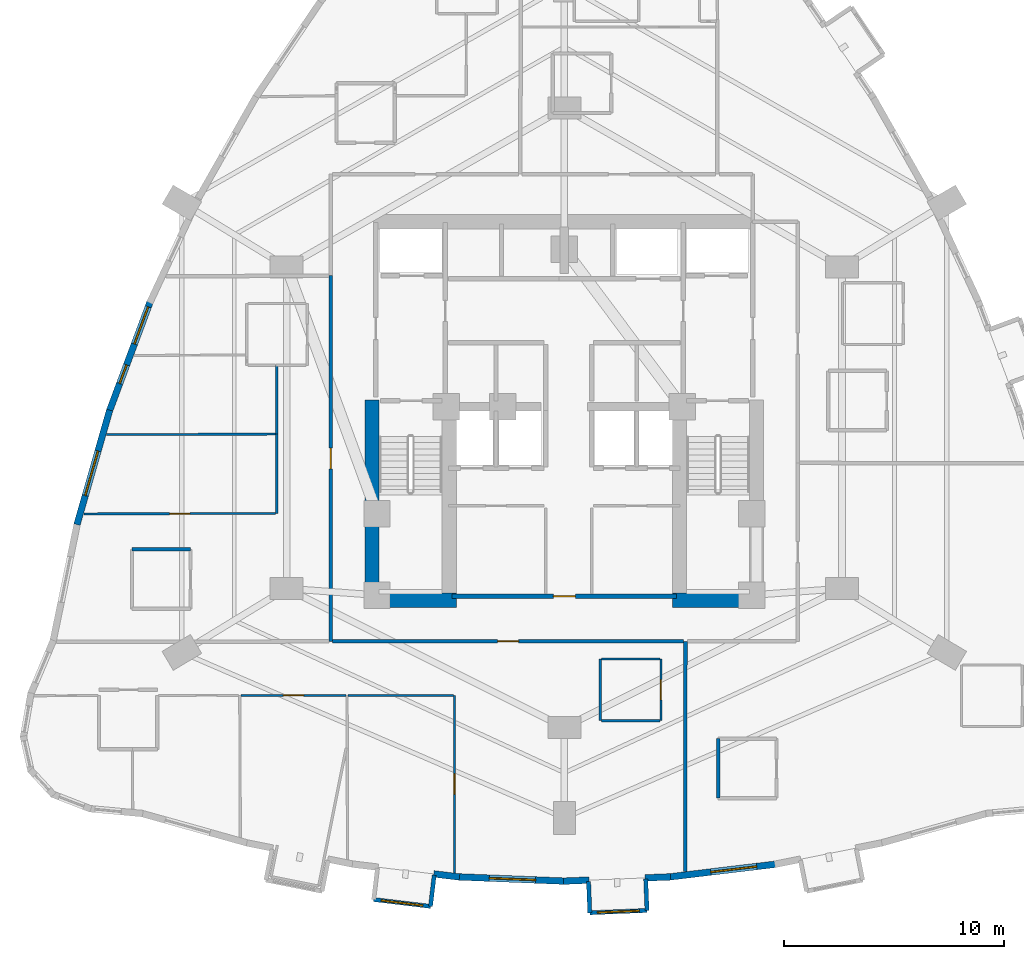
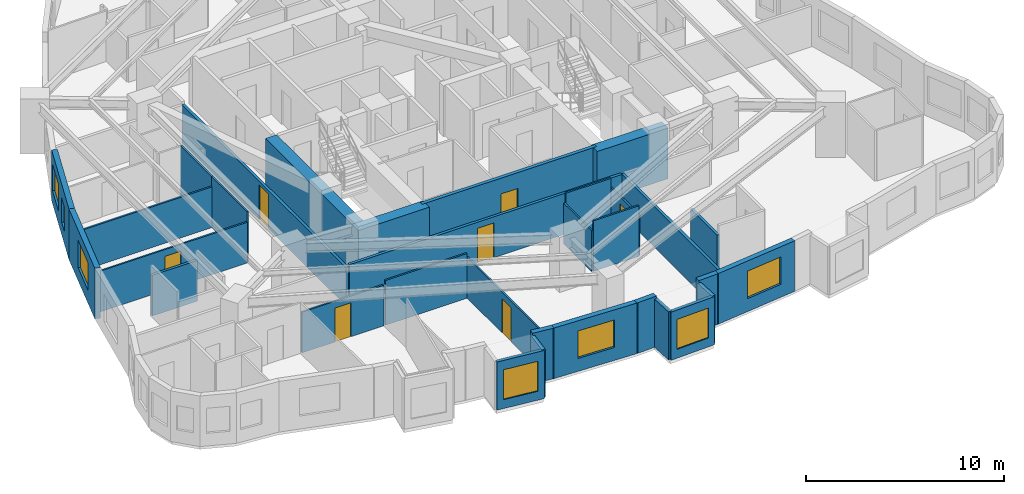
# One storey, part 6 of 12: 32 walls, 7 doors, 7 windows, 14 openings.
"""IFC4 building model written with IfcOpenShell, lengths in metres."""

from ifc_helpers import new_model, si_unit, direction, frame, frame_2d, origin, place, context, subcontext, project, spatial, rectangle, extrude, material, layer, layer_set, type_object, element, fill, save


model = new_model("IFC4")

# Units and contexts
model_context = context("Model", 3, precision=1e-05, world=origin(), true_north=direction((0.0, 1.0)))
body_context = subcontext(model_context, "Body", "Model", "MODEL_VIEW")
ifc_project = project(units=[si_unit("LENGTHUNIT", "METRE"), si_unit("AREAUNIT", "SQUARE_METRE"), si_unit("VOLUMEUNIT", "CUBIC_METRE"), si_unit("PLANEANGLEUNIT", "RADIAN"), si_unit("MASSUNIT", "GRAM", prefix="KILO")], contexts=[model_context])

# Site, building, storey
site_placement = place(None, origin())
site = spatial("IfcSite", under=ifc_project, at=site_placement, CompositionType="ELEMENT")
building_placement = place(site_placement, origin())
building = spatial("IfcBuilding", under=site, at=building_placement, Name="Miruveldt Soraemaru", CompositionType="ELEMENT")
storey_placement = place(building_placement, frame((0.0, 0.0, 56.39990234375)))
storey = spatial("IfcBuildingStorey", under=building, at=storey_placement, Name="L15", CompositionType="ELEMENT", Elevation=56.39990234375)

# Wall
ifc_material_1 = material(Name="White powder-coated aluminium EN AW-6060 T6", Category="aluminium")
ifc_layer_1 = layer(ifc_material_1, 0.18994140625, Name="White powder-coated aluminium EN AW-6060 T6", Category="aluminium")
ifc_layer_set_1 = layer_set([ifc_layer_1], Name="White powder-coated aluminium EN AW-6060 T6")
wall_type_1 = type_object("IfcWallType", Name="WALL-BAY-ALU190", PredefinedType="SOLIDWALL", material=ifc_layer_set_1)
wall_1_placement = place(storey_placement, frame((37.927734375, 21.37548828125, 0.0), z_axis=(0.0, 0.0, 1.0), x_axis=(0.119077659317, 0.992884943511, 0.0)))
element("IfcWall", 1, at=wall_1_placement, inside=storey, type_object=wall_type_1, Name="L15 Bay Window Side Cheek 1R", PredefinedType="SOLIDWALL", context=body_context, shape_type="SweptSolid", body=[
    extrude(rectangle(XDim=1.425048828125, YDim=0.18994140625, at=frame_2d((0.71240234375, 0.0))), origin(), (0.0, 0.0, 1.0), 2.97509765625),
])

# Wall, opening, window
wall_2_placement = place(storey_placement, frame((35.34619140625, 21.685302734375, 0.0), z_axis=(0.0, 0.0, 1.0), x_axis=(0.99287550549, -0.119156328397, 0.0)))
wall_2 = element("IfcWall", 2, at=wall_2_placement, inside=storey, type_object=wall_type_1, Name="L15 Bay Window Front Frame 1", PredefinedType="SOLIDWALL", context=body_context, shape_type="SweptSolid", body=[
    extrude(rectangle(XDim=2.60009765625, YDim=0.18994140625, at=frame_2d((1.300048828125, 0.0))), origin(), (0.0, 0.0, 1.0), 2.97509765625),
])
opening_1_placement = place(wall_2_placement, frame((0.35009765625, 0.0, 0.550048828125)))
opening_1 = element("IfcOpeningElement", 3, at=opening_1_placement, cuts=wall_2, Name="Opening WN-6", PredefinedType="OPENING", context=body_context, shape_type="SweptSolid", body=[
    extrude(rectangle(XDim=1.89990234375, YDim=1.85009765625, at=frame_2d((0.949951171875, 0.925048828125))), frame((0.0, 0.10498046875, 0.0), z_axis=(0.0, -1.0, 0.0), x_axis=(1.0, 0.0, 0.0)), (0.0, 0.0, 1.0), 0.2099609375),
])
ifc_material_2 = material(Name="Triple low-e insulated glazing", Category="glass")
window_type_1 = type_object("IfcWindowType", Name="WIN-BAYW-1900x1850", PartitioningType="SINGLE_PANEL", PredefinedType="WINDOW", material=ifc_material_2)
window_1_placement = place(opening_1_placement, origin())
window_1 = element("IfcWindow", 4, at=window_1_placement, inside=storey, type_object=window_type_1, Name="L15 Projecting Bay Window 1", OverallHeight=1.85009765625, OverallWidth=1.89990234375, PartitioningType="SINGLE_PANEL", PredefinedType="WINDOW", context=body_context, shape_type="SweptSolid", body=[
    extrude(rectangle(XDim=1.89990234375, YDim=1.85009765625, at=frame_2d((0.949951171875, 0.925048828125))), frame((0.0, 0.030029296875, 0.0), z_axis=(0.0, -1.0, 0.0), x_axis=(1.0, 0.0, 0.0)), (0.0, 0.0, 1.0), 0.06005859375),
])
fill(opening_1, window_1)

# Walls
for number, where, z_axis, x_axis, name in (
    (5, (45.098876953125, 22.509521484375, 0.0), (0.0, 0.0, 1.0), (0.039920142234, -0.999202873417, 0.0), "L15 Bay Window Side Cheek 2L"),
    (6, (47.75390625, 21.189697265625, 0.0), (0.0, 0.0, 1.0), (-0.040091198522, 0.999196024712, 0.0), "L15 Bay Window Side Cheek 2R"),
):
    element("IfcWall", number, at=place(storey_placement, frame(where, z_axis=z_axis, x_axis=x_axis)), inside=storey, type_object=wall_type_1, Name=name, PredefinedType="SOLIDWALL", context=body_context, shape_type="SweptSolid", body=[
        extrude(rectangle(XDim=1.425048828125, YDim=0.18994140625, at=frame_2d((0.71240234375, 0.0))), origin(), (0.0, 0.0, 1.0), 2.97509765625),
    ])

# Wall, opening, window
wall_3_placement = place(storey_placement, frame((45.15576171875, 21.085693359375, 0.0), z_axis=(0.0, 0.0, 1.0), x_axis=(0.999199758372, 0.039998035808, 0.0)))
wall_3 = element("IfcWall", 7, at=wall_3_placement, inside=storey, type_object=wall_type_1, Name="L15 Bay Window Front Frame 2", PredefinedType="SOLIDWALL", context=body_context, shape_type="SweptSolid", body=[
    extrude(rectangle(XDim=2.600341796875, YDim=0.18994140625, at=frame_2d((1.30029296875, 0.0))), origin(), (0.0, 0.0, 1.0), 2.97509765625),
])
opening_2_placement = place(wall_3_placement, frame((0.35009765625, 0.0, 0.550048828125)))
opening_2 = element("IfcOpeningElement", 8, at=opening_2_placement, cuts=wall_3, Name="Opening WN-6", PredefinedType="OPENING", context=body_context, shape_type="SweptSolid", body=[
    extrude(rectangle(XDim=1.89990234375, YDim=1.85009765625, at=frame_2d((0.949951171875, 0.925048828125))), frame((0.0, 0.10498046875, 0.0), z_axis=(0.0, -1.0, 0.0), x_axis=(1.0, 0.0, 0.0)), (0.0, 0.0, 1.0), 0.2099609375),
])
window_2_placement = place(opening_2_placement, origin())
window_2 = element("IfcWindow", 9, at=window_2_placement, inside=storey, type_object=window_type_1, Name="L15 Projecting Bay Window 2", OverallHeight=1.85009765625, OverallWidth=1.89990234375, PartitioningType="SINGLE_PANEL", PredefinedType="WINDOW", context=body_context, shape_type="SweptSolid", body=[
    extrude(rectangle(XDim=1.89990234375, YDim=1.85009765625, at=frame_2d((0.949951171875, 0.925048828125))), frame((0.0, 0.030029296875, 0.0), z_axis=(0.0, -1.0, 0.0), x_axis=(1.0, 0.0, 0.0)), (0.0, 0.0, 1.0), 0.06005859375),
])
fill(opening_2, window_2)

# Walls
ifc_material_3 = material(Name="Concrete C80/95 (80 MPa)", Category="concrete")
ifc_layer_2 = layer(ifc_material_3, 0.64990234375, Name="Concrete C80/95 (80 MPa)", Category="concrete")
ifc_layer_set_2 = layer_set([ifc_layer_2], Name="Concrete C80/95 (80 MPa)")
wall_type_2 = type_object("IfcWallType", Name="WALL-CW-650", PredefinedType="SHEAR", material=ifc_layer_set_2)
for number, where, z_axis, x_axis, name in (
    (10, (34.949951171875, 35.27490234375, 0.0), (0.0, 0.0, 1.0), (1.0, 0.0, 0.0), "L15 Central Core Shear Wall S1"),
    (11, (48.89990234375, 35.27490234375, 0.0), (0.0, 0.0, 1.0), (1.0, 0.0, 0.0), "L15 Central Core Shear Wall S2"),
):
    element("IfcWall", number, at=place(storey_placement, frame(where, z_axis=z_axis, x_axis=x_axis)), inside=storey, type_object=wall_type_2, Name=name, PredefinedType="SHEAR", context=body_context, shape_type="SweptSolid", body=[
        extrude(rectangle(XDim=4.150146484375, YDim=0.64990234375, at=frame_2d((2.0751953125, 0.0))), origin(), (0.0, 0.0, 1.0), 3.125),
    ])
wall_4_placement = place(storey_placement, frame((35.27490234375, 34.949951171875, 0.0), z_axis=(0.0, 0.0, 1.0), x_axis=(0.0, 1.0, 0.0)))
element("IfcWall", 12, at=wall_4_placement, inside=storey, type_object=wall_type_2, Name="L15 Central Core Shear Wall W1", PredefinedType="SHEAR", context=body_context, shape_type="SweptSolid", body=[
    extrude(rectangle(XDim=9.400146484375, YDim=0.64990234375, at=frame_2d((4.7001953125, 0.0))), origin(), (0.0, 0.0, 1.0), 3.125),
])

# Wall, openings, windows
ifc_material_4 = material(Name="Precast concrete C45/55 (45 MPa)", Category="concrete")
ifc_layer_3 = layer(ifc_material_4, 0.300048828125, Name="Precast concrete C45/55 (45 MPa)", Category="concrete")
ifc_layer_set_3 = layer_set([ifc_layer_3], Name="Precast concrete C45/55 (45 MPa)")
wall_type_3 = type_object("IfcWallType", Name="WALL-EXT-PC300", PredefinedType="SOLIDWALL", material=ifc_layer_set_3)
wall_5_placement = place(storey_placement, frame((25.209228515625, 48.829345703125, 0.0), z_axis=(0.0, 0.0, 1.0), x_axis=(-0.349021573692, -0.937114689405, 0.0)))
wall_5 = element("IfcWall", 13, at=wall_5_placement, inside=storey, type_object=wall_type_3, Name="L15 Precast Concrete Facade Wall 12", PredefinedType="SOLIDWALL", context=body_context, shape_type="SweptSolid", body=[
    extrude(rectangle(XDim=5.335693359375, YDim=0.300048828125, at=frame_2d((2.66796875, 0.0))), origin(), (0.0, 0.0, 1.0), 3.125),
])
opening_3_placement = place(wall_5_placement, frame((0.260009765625, 0.0, 0.800048828125)))
opening_3 = element("IfcOpeningElement", 14, at=opening_3_placement, cuts=wall_5, Name="Opening WN-2", PredefinedType="OPENING", context=body_context, shape_type="SweptSolid", body=[
    extrude(rectangle(XDim=1.800048828125, YDim=1.64990234375, at=frame_2d((0.89990234375, 0.824951171875))), frame((0.0, 0.16015625, 0.0), z_axis=(0.0, -1.0, 0.0), x_axis=(1.0, 0.0, 0.0)), (0.0, 0.0, 1.0), 0.320068359375),
])
opening_4_placement = place(wall_5_placement, frame((3.073974609375, 0.0, 0.780029296875)))
opening_4 = element("IfcOpeningElement", 15, at=opening_4_placement, cuts=wall_5, Name="Opening WN-7", PredefinedType="OPENING", context=body_context, shape_type="SweptSolid", body=[
    extrude(rectangle(XDim=0.89990234375, YDim=1.5, at=frame_2d((0.449951171875, 0.75))), frame((0.0, 0.16015625, 0.0), z_axis=(0.0, -1.0, 0.0), x_axis=(1.0, 0.0, 0.0)), (0.0, 0.0, 1.0), 0.320068359375),
])
window_type_2 = type_object("IfcWindowType", Name="WIN-PUNCH-1800x1650", PartitioningType="SINGLE_PANEL", PredefinedType="WINDOW", material=ifc_material_2)
window_3_placement = place(opening_3_placement, origin())
window_3 = element("IfcWindow", 16, at=window_3_placement, inside=storey, type_object=window_type_2, Name="L15 Punched Triple-Glazed Window 12.1", OverallHeight=1.64990234375, OverallWidth=1.800048828125, PartitioningType="SINGLE_PANEL", PredefinedType="WINDOW", context=body_context, shape_type="SweptSolid", body=[
    extrude(rectangle(XDim=1.800048828125, YDim=1.64990234375, at=frame_2d((0.89990234375, 0.824951171875))), frame((0.0, 0.030029296875, 0.0), z_axis=(0.0, -1.0, 0.0), x_axis=(1.0, 0.0, 0.0)), (0.0, 0.0, 1.0), 0.06005859375),
])
fill(opening_3, window_3)
window_type_3 = type_object("IfcWindowType", Name="WIN-PUNCH-900x1500", PartitioningType="SINGLE_PANEL", PredefinedType="WINDOW", material=ifc_material_2)
window_4_placement = place(opening_4_placement, origin())
window_4 = element("IfcWindow", 17, at=window_4_placement, inside=storey, type_object=window_type_3, Name="L15 Punched Triple-Glazed Window 12.2", OverallHeight=1.5, OverallWidth=0.89990234375, PartitioningType="SINGLE_PANEL", PredefinedType="WINDOW", context=body_context, shape_type="SweptSolid", body=[
    extrude(rectangle(XDim=0.89990234375, YDim=1.5, at=frame_2d((0.449951171875, 0.75))), frame((0.0, 0.030029296875, 0.0), z_axis=(0.0, -1.0, 0.0), x_axis=(1.0, 0.0, 0.0)), (0.0, 0.0, 1.0), 0.06005859375),
])
fill(opening_4, window_4)

# Wall, opening, window
wall_6_placement = place(storey_placement, frame((23.368896484375, 43.895751953125, 0.0), z_axis=(0.0, 0.0, 1.0), x_axis=(-0.274959879821, -0.961455700742, 0.0)))
wall_6 = element("IfcWall", 18, at=wall_6_placement, inside=storey, type_object=wall_type_3, Name="L15 Precast Concrete Facade Wall 13", PredefinedType="SOLIDWALL", context=body_context, shape_type="SweptSolid", body=[
    extrude(rectangle(XDim=5.402099609375, YDim=0.300048828125, at=frame_2d((2.701171875, 0.0))), origin(), (0.0, 0.0, 1.0), 3.125),
])
opening_5_placement = place(wall_6_placement, frame((1.928955078125, 0.0, 0.800048828125)))
opening_5 = element("IfcOpeningElement", 19, at=opening_5_placement, cuts=wall_6, Name="Opening WN-1", PredefinedType="OPENING", context=body_context, shape_type="SweptSolid", body=[
    extrude(rectangle(XDim=2.10009765625, YDim=1.699951171875, at=frame_2d((1.050048828125, 0.85009765625))), frame((0.0, 0.16015625, 0.0), z_axis=(0.0, -1.0, 0.0), x_axis=(1.0, 0.0, 0.0)), (0.0, 0.0, 1.0), 0.320068359375),
])
window_type_4 = type_object("IfcWindowType", Name="WIN-PUNCH-2100x1700", PartitioningType="SINGLE_PANEL", PredefinedType="WINDOW", material=ifc_material_2)
window_5_placement = place(opening_5_placement, origin())
window_5 = element("IfcWindow", 20, at=window_5_placement, inside=storey, type_object=window_type_4, Name="L15 Punched Triple-Glazed Window 13.1", OverallHeight=1.699951171875, OverallWidth=2.10009765625, PartitioningType="SINGLE_PANEL", PredefinedType="WINDOW", context=body_context, shape_type="SweptSolid", body=[
    extrude(rectangle(XDim=2.10009765625, YDim=1.699951171875, at=frame_2d((1.050048828125, 0.85009765625))), frame((0.0, 0.030029296875, 0.0), z_axis=(0.0, -1.0, 0.0), x_axis=(1.0, 0.0, 0.0)), (0.0, 0.0, 1.0), 0.06005859375),
])
fill(opening_5, window_5)

# Wall
wall_7_placement = place(storey_placement, frame((38.07421875, 22.8486328125, 0.0), z_axis=(0.0, 0.0, 1.0), x_axis=(0.992871933541, -0.119186088056, 0.0)))
element("IfcWall", 21, at=wall_7_placement, inside=storey, type_object=wall_type_3, Name="L15 Precast Pier Wall 23B", PredefinedType="SOLIDWALL", context=body_context, shape_type="SweptSolid", body=[
    extrude(rectangle(XDim=1.177734375, YDim=0.300048828125, at=frame_2d((0.5888671875, 0.0))), origin(), (0.0, 0.0, 1.0), 3.125),
])

# Wall, opening, window
wall_8_placement = place(storey_placement, frame((39.173828125, 22.7138671875, 0.0), z_axis=(0.0, 0.0, 1.0), x_axis=(0.999199836017, -0.039996096093, 0.0)))
wall_8 = element("IfcWall", 22, at=wall_8_placement, inside=storey, type_object=wall_type_3, Name="L15 Precast Concrete Facade Wall 24", PredefinedType="SOLIDWALL", context=body_context, shape_type="SweptSolid", body=[
    extrude(rectangle(XDim=4.864990234375, YDim=0.300048828125, at=frame_2d((2.4326171875, 0.0))), origin(), (0.0, 0.0, 1.0), 3.125),
])
opening_6_placement = place(wall_8_placement, frame((1.423095703125, 0.0, 0.800048828125)))
opening_6 = element("IfcOpeningElement", 23, at=opening_6_placement, cuts=wall_8, Name="Opening WN-1", PredefinedType="OPENING", context=body_context, shape_type="SweptSolid", body=[
    extrude(rectangle(XDim=2.10009765625, YDim=1.699951171875, at=frame_2d((1.050048828125, 0.85009765625))), frame((0.0, 0.16015625, 0.0), z_axis=(0.0, -1.0, 0.0), x_axis=(1.0, 0.0, 0.0)), (0.0, 0.0, 1.0), 0.320068359375),
])
window_6_placement = place(opening_6_placement, origin())
window_6 = element("IfcWindow", 24, at=window_6_placement, inside=storey, type_object=window_type_4, Name="L15 Punched Triple-Glazed Window 24.1", OverallHeight=1.699951171875, OverallWidth=2.10009765625, PartitioningType="SINGLE_PANEL", PredefinedType="WINDOW", context=body_context, shape_type="SweptSolid", body=[
    extrude(rectangle(XDim=2.10009765625, YDim=1.699951171875, at=frame_2d((1.050048828125, 0.85009765625))), frame((0.0, 0.030029296875, 0.0), z_axis=(0.0, -1.0, 0.0), x_axis=(1.0, 0.0, 0.0)), (0.0, 0.0, 1.0), 0.06005859375),
])
fill(opening_6, window_6)

# Walls
for number, where, z_axis, x_axis, name in (
    (25, (43.965087890625, 22.519287109375, 0.0), (0.0, 0.0, 1.0), (0.999195245588, 0.040110612002, 0.0), "L15 Precast Pier Wall 25A"),
    (26, (47.66455078125, 22.667236328125, 0.0), (0.0, 0.0, 1.0), (0.999195245588, 0.040110612002, 0.0), "L15 Precast Pier Wall 25B"),
):
    element("IfcWall", number, at=place(storey_placement, frame(where, z_axis=z_axis, x_axis=x_axis)), inside=storey, type_object=wall_type_3, Name=name, PredefinedType="SOLIDWALL", context=body_context, shape_type="SweptSolid", body=[
        extrude(rectangle(XDim=1.16259765625, YDim=0.300048828125, at=frame_2d((0.581298828125, 0.0))), origin(), (0.0, 0.0, 1.0), 3.125),
    ])

# Wall, opening, window
wall_9_placement = place(storey_placement, frame((48.75634765625, 22.708251953125, 0.0), z_axis=(0.0, 0.0, 1.0), x_axis=(0.992878018288, 0.119135388533, 0.0)))
wall_9 = element("IfcWall", 27, at=wall_9_placement, inside=storey, type_object=wall_type_3, Name="L15 Precast Concrete Facade Wall 26", PredefinedType="SOLIDWALL", context=body_context, shape_type="SweptSolid", body=[
    extrude(rectangle(XDim=4.895751953125, YDim=0.300048828125, at=frame_2d((2.44775390625, 0.0))), origin(), (0.0, 0.0, 1.0), 3.125),
])
opening_7_placement = place(wall_9_placement, frame((1.89794921875, 0.0, 0.800048828125)))
opening_7 = element("IfcOpeningElement", 28, at=opening_7_placement, cuts=wall_9, Name="Opening WN-1", PredefinedType="OPENING", context=body_context, shape_type="SweptSolid", body=[
    extrude(rectangle(XDim=2.10009765625, YDim=1.699951171875, at=frame_2d((1.050048828125, 0.85009765625))), frame((0.0, 0.16015625, 0.0), z_axis=(0.0, -1.0, 0.0), x_axis=(1.0, 0.0, 0.0)), (0.0, 0.0, 1.0), 0.320068359375),
])
window_7_placement = place(opening_7_placement, origin())
window_7 = element("IfcWindow", 29, at=window_7_placement, inside=storey, type_object=window_type_4, Name="L15 Punched Triple-Glazed Window 26.1", OverallHeight=1.699951171875, OverallWidth=2.10009765625, PartitioningType="SINGLE_PANEL", PredefinedType="WINDOW", context=body_context, shape_type="SweptSolid", body=[
    extrude(rectangle(XDim=2.10009765625, YDim=1.699951171875, at=frame_2d((1.050048828125, 0.85009765625))), frame((0.0, 0.030029296875, 0.0), z_axis=(0.0, -1.0, 0.0), x_axis=(1.0, 0.0, 0.0)), (0.0, 0.0, 1.0), 0.06005859375),
])
fill(opening_7, window_7)

# Wall, opening, door
ifc_material_5 = material(Name="Gypsum plasterboard lining", Category="gypsum")
ifc_layer_4 = layer(ifc_material_5, 0.10009765625, Name="Gypsum plasterboard lining", Category="gypsum")
ifc_layer_set_4 = layer_set([ifc_layer_4], Name="Gypsum plasterboard lining")
wall_type_4 = type_object("IfcWallType", Name="WALL-INT-P100", PredefinedType="PARTITIONING", material=ifc_layer_set_4)
wall_10_placement = place(storey_placement, frame((30.89990234375, 39.2099609375, 0.0), z_axis=(0.0, 0.0, 1.0), x_axis=(-0.999996525558, -0.002636071494, 0.0)))
wall_10 = element("IfcWall", 30, at=wall_10_placement, inside=storey, type_object=wall_type_4, Name="L15 Partition Wall 55", PredefinedType="PARTITIONING", context=body_context, shape_type="SweptSolid", body=[
    extrude(rectangle(XDim=8.705810546875, YDim=0.10009765625, at=frame_2d((4.35302734375, 0.0))), origin(), (0.0, 0.0, 1.0), 2.51318359375),
])
opening_8_placement = place(wall_10_placement, frame((3.89306640625, 0.0, 0.0)))
opening_8 = element("IfcOpeningElement", 31, at=opening_8_placement, cuts=wall_10, Name="Opening D3A", PredefinedType="OPENING", context=body_context, shape_type="SweptSolid", body=[
    extrude(rectangle(XDim=0.919921875, YDim=2.10009765625, at=frame_2d((0.4599609375, 1.050048828125))), frame((0.0, 0.06005859375, 0.0), z_axis=(0.0, -1.0, 0.0), x_axis=(1.0, 0.0, 0.0)), (0.0, 0.0, 1.0), 0.1201171875),
])
ifc_material_6 = material(Name="Anodised aluminium EN AW-6063 T6", Category="aluminium")
door_type_1 = type_object("IfcDoorType", Name="DOOR-INT-920", OperationType="NOTDEFINED", PredefinedType="DOOR", material=ifc_material_6)
door_1_placement = place(opening_8_placement, origin())
door_1 = element("IfcDoor", 32, at=door_1_placement, inside=storey, type_object=door_type_1, Name="L15 Unit 1504 BD1 Door", OperationType="SINGLE_SWING_RIGHT", OverallHeight=2.10009765625, OverallWidth=0.919921875, PredefinedType="DOOR", context=body_context, shape_type="SweptSolid", body=[
    extrude(rectangle(XDim=0.919921875, YDim=2.10009765625, at=frame_2d((0.4599609375, 1.050048828125))), frame((0.0, 0.02490234375, 0.0), z_axis=(0.0, -1.0, 0.0), x_axis=(1.0, 0.0, 0.0)), (0.0, 0.0, 1.0), 0.050048828125),
])
fill(opening_8, door_1)

wall_11_placement = place(storey_placement, frame((39.011962890625, 30.949951171875, 0.0), z_axis=(0.0, 0.0, 1.0), x_axis=(0.001243591504, -0.99999922674, 0.0)))
wall_11 = element("IfcWall", 33, at=wall_11_placement, inside=storey, type_object=wall_type_4, Name="L15 Partition Wall 80", PredefinedType="PARTITIONING", context=body_context, shape_type="SweptSolid", body=[
    extrude(rectangle(XDim=8.049072265625, YDim=0.10009765625, at=frame_2d((4.0244140625, 0.0))), origin(), (0.0, 0.0, 1.0), 2.51318359375),
])
opening_9_placement = place(wall_11_placement, frame((3.56494140625, 0.0, 0.0)))
opening_9 = element("IfcOpeningElement", 34, at=opening_9_placement, cuts=wall_11, Name="Opening D3A", PredefinedType="OPENING", context=body_context, shape_type="SweptSolid", body=[
    extrude(rectangle(XDim=0.919921875, YDim=2.10009765625, at=frame_2d((0.4599609375, 1.050048828125))), frame((0.0, 0.06005859375, 0.0), z_axis=(0.0, -1.0, 0.0), x_axis=(1.0, 0.0, 0.0)), (0.0, 0.0, 1.0), 0.1201171875),
])
door_2_placement = place(opening_9_placement, origin())
door_2 = element("IfcDoor", 35, at=door_2_placement, inside=storey, type_object=door_type_1, Name="L15 Unit 1506 BD4 Door", OperationType="SINGLE_SWING_LEFT", OverallHeight=2.10009765625, OverallWidth=0.919921875, PredefinedType="DOOR", context=body_context, shape_type="SweptSolid", body=[
    extrude(rectangle(XDim=0.919921875, YDim=2.10009765625, at=frame_2d((0.4599609375, 1.050048828125))), frame((0.0, 0.02490234375, 0.0), z_axis=(0.0, -1.0, 0.0), x_axis=(1.0, 0.0, 0.0)), (0.0, 0.0, 1.0), 0.050048828125),
])
fill(opening_9, door_2)

wall_12_placement = place(storey_placement, frame((29.322998046875, 30.949951171875, 0.0), z_axis=(0.0, 0.0, 1.0), x_axis=(1.0, 0.0, 0.0)))
wall_12 = element("IfcWall", 36, at=wall_12_placement, inside=storey, type_object=wall_type_4, Name="L15 Partition Wall 78", PredefinedType="PARTITIONING", context=body_context, shape_type="SweptSolid", body=[
    extrude(rectangle(XDim=4.77001953125, YDim=0.10009765625, at=frame_2d((2.385009765625, 0.0))), origin(), (0.0, 0.0, 1.0), 2.51318359375),
])
opening_10_placement = place(wall_12_placement, frame((1.925048828125, 0.0, 0.0)))
opening_10 = element("IfcOpeningElement", 37, at=opening_10_placement, cuts=wall_12, Name="Opening D3A", PredefinedType="OPENING", context=body_context, shape_type="SweptSolid", body=[
    extrude(rectangle(XDim=0.919921875, YDim=2.10009765625, at=frame_2d((0.4599609375, 1.050048828125))), frame((0.0, 0.06005859375, 0.0), z_axis=(0.0, -1.0, 0.0), x_axis=(1.0, 0.0, 0.0)), (0.0, 0.0, 1.0), 0.1201171875),
])
door_3_placement = place(opening_10_placement, origin())
door_3 = element("IfcDoor", 38, at=door_3_placement, inside=storey, type_object=door_type_1, Name="L15 Unit 1506 BD3 Door", OperationType="SINGLE_SWING_RIGHT", OverallHeight=2.10009765625, OverallWidth=0.919921875, PredefinedType="DOOR", context=body_context, shape_type="SweptSolid", body=[
    extrude(rectangle(XDim=0.919921875, YDim=2.10009765625, at=frame_2d((0.4599609375, 1.050048828125))), frame((0.0, 0.02490234375, 0.0), z_axis=(0.0, -1.0, 0.0), x_axis=(1.0, 0.0, 0.0)), (0.0, 0.0, 1.0), 0.050048828125),
])
fill(opening_10, door_3)

wall_13_placement = place(storey_placement, frame((48.383056640625, 29.802978515625, 0.0), z_axis=(0.0, 0.0, 1.0), x_axis=(0.0, 1.0, 0.0)))
wall_13 = element("IfcWall", 39, at=wall_13_placement, inside=storey, type_object=wall_type_4, Name="L15 Partition Wall 72", PredefinedType="PARTITIONING", context=body_context, shape_type="SweptSolid", body=[
    extrude(rectangle(XDim=2.800048828125, YDim=0.10009765625, at=frame_2d((1.39990234375, 0.0))), origin(), (0.0, 0.0, 1.0), 2.525146484375),
])
opening_11_placement = place(wall_13_placement, frame((0.93994140625, 0.0, 0.0)))
opening_11 = element("IfcOpeningElement", 40, at=opening_11_placement, cuts=wall_13, Name="Opening D3A", PredefinedType="OPENING", context=body_context, shape_type="SweptSolid", body=[
    extrude(rectangle(XDim=0.919921875, YDim=2.10009765625, at=frame_2d((0.4599609375, 1.050048828125))), frame((0.0, 0.06005859375, 0.0), z_axis=(0.0, -1.0, 0.0), x_axis=(1.0, 0.0, 0.0)), (0.0, 0.0, 1.0), 0.1201171875),
])
door_4_placement = place(opening_11_placement, origin())
door_4 = element("IfcDoor", 41, at=door_4_placement, inside=storey, type_object=door_type_1, Name="L15 Unit 1506 KIT Door", OperationType="SINGLE_SWING_LEFT", OverallHeight=2.10009765625, OverallWidth=0.919921875, PredefinedType="DOOR", context=body_context, shape_type="SweptSolid", body=[
    extrude(rectangle(XDim=0.919921875, YDim=2.10009765625, at=frame_2d((0.4599609375, 1.050048828125))), frame((0.0, 0.02490234375, 0.0), z_axis=(0.0, -1.0, 0.0), x_axis=(1.0, 0.0, 0.0)), (0.0, 0.0, 1.0), 0.050048828125),
])
fill(opening_11, door_4)

# Walls
wall_14_placement = place(storey_placement, frame((30.89990234375, 42.806884765625, 0.0), z_axis=(0.0, 0.0, 1.0), x_axis=(-0.99999553307, -0.002988952911, 0.0)))
element("IfcWall", 42, at=wall_14_placement, inside=storey, type_object=wall_type_4, Name="L15 Partition Wall 61", PredefinedType="PARTITIONING", context=body_context, shape_type="SweptSolid", body=[
    extrude(rectangle(XDim=7.677978515625, YDim=0.10009765625, at=frame_2d((3.8388671875, 0.0))), origin(), (0.0, 0.0, 1.0), 2.51318359375),
])
wall_15_placement = place(storey_placement, frame((34.193115234375, 30.949951171875, 0.0), z_axis=(0.0, 0.0, 1.0), x_axis=(1.0, 0.0, 0.0)))
element("IfcWall", 43, at=wall_15_placement, inside=storey, type_object=wall_type_4, Name="L15 Partition Wall 79", PredefinedType="PARTITIONING", context=body_context, shape_type="SweptSolid", body=[
    extrude(rectangle(XDim=4.768798828125, YDim=0.10009765625, at=frame_2d((2.38427734375, 0.0))), origin(), (0.0, 0.0, 1.0), 2.76318359375),
])
wall_16_placement = place(storey_placement, frame((30.949951171875, 42.806884765625, 0.0), z_axis=(0.0, 0.0, 1.0), x_axis=(0.0, -1.0, 0.0)))
element("IfcWall", 44, at=wall_16_placement, inside=storey, type_object=wall_type_4, Name="L15 Partition Wall 54", PredefinedType="PARTITIONING", context=body_context, shape_type="SweptSolid", body=[
    extrude(rectangle(XDim=3.596923828125, YDim=0.10009765625, at=frame_2d((1.79833984375, 0.0))), origin(), (0.0, 0.0, 1.0), 3.125),
])
wall_17_placement = place(storey_placement, frame((30.949951171875, 45.929931640625, 0.0), z_axis=(0.0, 0.0, 1.0), x_axis=(0.0, -1.0, 0.0)))
element("IfcWall", 45, at=wall_17_placement, inside=storey, type_object=wall_type_4, Name="L15 Partition Wall 57", PredefinedType="PARTITIONING", context=body_context, shape_type="SweptSolid", body=[
    extrude(rectangle(XDim=3.123046875, YDim=0.10009765625, at=frame_2d((1.5615234375, 0.0))), origin(), (0.0, 0.0, 1.0), 3.125),
])
wall_18_placement = place(storey_placement, frame((45.633056640625, 32.60302734375, 0.0), z_axis=(0.0, 0.0, 1.0), x_axis=(0.0, -1.0, 0.0)))
element("IfcWall", 46, at=wall_18_placement, inside=storey, type_object=wall_type_4, Name="L15 Partition Wall 74", PredefinedType="PARTITIONING", context=body_context, shape_type="SweptSolid", body=[
    extrude(rectangle(XDim=2.800048828125, YDim=0.10009765625, at=frame_2d((1.39990234375, 0.0))), origin(), (0.0, 0.0, 1.0), 2.525146484375),
])
for number, where, z_axis, x_axis, name in (
    (47, (48.3330078125, 32.60302734375, 0.0), (0.0, 0.0, 1.0), (-1.0, 0.0, 0.0), "L15 Partition Wall 73"),
    (48, (45.68310546875, 29.802978515625, 0.0), (0.0, 0.0, 1.0), (1.0, 0.0, 0.0), "L15 Partition Wall 75"),
):
    element("IfcWall", number, at=place(storey_placement, frame(where, z_axis=z_axis, x_axis=x_axis)), inside=storey, type_object=wall_type_4, Name=name, PredefinedType="PARTITIONING", context=body_context, shape_type="SweptSolid", body=[
        extrude(rectangle(XDim=2.64990234375, YDim=0.10009765625, at=frame_2d((1.324951171875, 0.0))), origin(), (0.0, 0.0, 1.0), 3.125),
    ])
ifc_layer_5 = layer(ifc_material_5, 0.14990234375, Name="Gypsum plasterboard lining", Category="gypsum")
ifc_layer_set_5 = layer_set([ifc_layer_5], Name="Gypsum plasterboard lining")
wall_type_5 = type_object("IfcWallType", Name="WALL-INT-PLUMB", PredefinedType="PLUMBINGWALL", material=ifc_layer_set_5)
wall_19_placement = place(storey_placement, frame((50.97998046875, 28.986083984375, 0.0), z_axis=(0.0, 0.0, 1.0), x_axis=(0.0, -1.0, 0.0)))
element("IfcWall", 49, at=wall_19_placement, inside=storey, type_object=wall_type_5, Name="L15 Partition Wall 91", PredefinedType="PLUMBINGWALL", context=body_context, shape_type="SweptSolid", body=[
    extrude(rectangle(XDim=2.7001953125, YDim=0.14990234375, at=frame_2d((1.35009765625, 0.0))), origin(), (0.0, 0.0, 1.0), 2.51318359375),
])
wall_20_placement = place(storey_placement, frame((27.034912109375, 37.580078125, 0.0), z_axis=(0.0, 0.0, 1.0), x_axis=(-1.0, 0.0, 0.0)))
element("IfcWall", 50, at=wall_20_placement, inside=storey, type_object=wall_type_5, Name="L15 Partition Wall 47", PredefinedType="PLUMBINGWALL", context=body_context, shape_type="SweptSolid", body=[
    extrude(rectangle(XDim=2.64990234375, YDim=0.14990234375, at=frame_2d((1.324951171875, 0.0))), origin(), (0.0, 0.0, 1.0), 2.51318359375),
])

# Wall, opening, door
ifc_material_7 = material(Name="Concrete C40/50 (40 MPa)", Category="concrete")
ifc_layer_6 = layer(ifc_material_7, 0.159912109375, Name="Concrete C40/50 (40 MPa)", Category="concrete")
ifc_layer_set_6 = layer_set([ifc_layer_6], Name="Concrete C40/50 (40 MPa)")
wall_type_6 = type_object("IfcWallType", Name="WALL-INT-RC160", PredefinedType="SOLIDWALL", material=ifc_layer_set_6)
wall_21_placement = place(storey_placement, frame((33.39990234375, 49.9970703125, 0.0), z_axis=(0.0, 0.0, 1.0), x_axis=(0.0, -1.0, 0.0)))
wall_21 = element("IfcWall", 51, at=wall_21_placement, inside=storey, type_object=wall_type_6, Name="L15 Partition Wall 4", PredefinedType="SOLIDWALL", context=body_context, shape_type="SweptSolid", body=[
    extrude(rectangle(XDim=16.593994140625, YDim=0.159912109375, at=frame_2d((8.296875, 0.0))), origin(), (0.0, 0.0, 1.0), 2.363037109375),
])
opening_12_placement = place(wall_21_placement, frame((7.822021484375, 0.0, 0.0)))
opening_12 = element("IfcOpeningElement", 52, at=opening_12_placement, cuts=wall_21, Name="Opening FD2", PredefinedType="OPENING", context=body_context, shape_type="SweptSolid", body=[
    extrude(rectangle(XDim=0.949951171875, YDim=2.14990234375, at=frame_2d((0.47509765625, 1.074951171875))), frame((0.0, 0.08984375, 0.0), z_axis=(0.0, -1.0, 0.0), x_axis=(1.0, 0.0, 0.0)), (0.0, 0.0, 1.0), 0.179931640625),
])
door_type_2 = type_object("IfcDoorType", Name="DOOR-FD2-950", OperationType="NOTDEFINED", PredefinedType="DOOR", material=ifc_material_6)
door_5_placement = place(opening_12_placement, origin())
door_5 = element("IfcDoor", 53, at=door_5_placement, inside=storey, type_object=door_type_2, Name="L15 Unit 1504 Entrance Fire Door", OperationType="SINGLE_SWING_LEFT", OverallHeight=2.14990234375, OverallWidth=0.949951171875, PredefinedType="DOOR", context=body_context, shape_type="SweptSolid", body=[
    extrude(rectangle(XDim=0.949951171875, YDim=2.14990234375, at=frame_2d((0.47509765625, 1.074951171875))), frame((0.0, 0.02490234375, 0.0), z_axis=(0.0, -1.0, 0.0), x_axis=(1.0, 0.0, 0.0)), (0.0, 0.0, 1.0), 0.050048828125),
])
fill(opening_12, door_5)

wall_22_placement = place(storey_placement, frame((33.47998046875, 33.39990234375, 0.0), z_axis=(0.0, 0.0, 1.0), x_axis=(1.0, 0.0, 0.0)))
wall_22 = element("IfcWall", 54, at=wall_22_placement, inside=storey, type_object=wall_type_6, Name="L15 Partition Wall 9", PredefinedType="SOLIDWALL", context=body_context, shape_type="SweptSolid", body=[
    extrude(rectangle(XDim=15.93994140625, YDim=0.159912109375, at=frame_2d((7.969970703125, 0.0))), origin(), (0.0, 0.0, 1.0), 2.525146484375),
])
opening_13_placement = place(wall_22_placement, frame((7.4951171875, 0.0, 0.0)))
opening_13 = element("IfcOpeningElement", 55, at=opening_13_placement, cuts=wall_22, Name="Opening FD2", PredefinedType="OPENING", context=body_context, shape_type="SweptSolid", body=[
    extrude(rectangle(XDim=0.949951171875, YDim=2.14990234375, at=frame_2d((0.47509765625, 1.074951171875))), frame((0.0, 0.08984375, 0.0), z_axis=(0.0, -1.0, 0.0), x_axis=(1.0, 0.0, 0.0)), (0.0, 0.0, 1.0), 0.179931640625),
])
door_6_placement = place(opening_13_placement, origin())
door_6 = element("IfcDoor", 56, at=door_6_placement, inside=storey, type_object=door_type_2, Name="L15 Unit 1506 Entrance Fire Door", OperationType="SINGLE_SWING_LEFT", OverallHeight=2.14990234375, OverallWidth=0.949951171875, PredefinedType="DOOR", context=body_context, shape_type="SweptSolid", body=[
    extrude(rectangle(XDim=0.949951171875, YDim=2.14990234375, at=frame_2d((0.47509765625, 1.074951171875))), frame((0.0, 0.02490234375, 0.0), z_axis=(0.0, -1.0, 0.0), x_axis=(1.0, 0.0, 0.0)), (0.0, 0.0, 1.0), 0.050048828125),
])
fill(opening_13, door_6)

# Wall
wall_23_placement = place(storey_placement, frame((49.489990234375, 22.9619140625, 0.0), z_axis=(0.0, 0.0, 1.0), x_axis=(0.000958974158, 0.999999540184, 0.0)))
element("IfcWall", 57, at=wall_23_placement, inside=storey, type_object=wall_type_6, Name="L15 Partition Wall 81", PredefinedType="SOLIDWALL", context=body_context, shape_type="SweptSolid", body=[
    extrude(rectangle(XDim=10.43798828125, YDim=0.159912109375, at=frame_2d((5.218994140625, 0.0))), origin(), (0.0, 0.0, 1.0), 2.51318359375),
])

# Wall, opening, door
ifc_layer_7 = layer(ifc_material_7, 0.199951171875, Name="Concrete C40/50 (40 MPa)", Category="concrete")
ifc_layer_set_7 = layer_set([ifc_layer_7], Name="Concrete C40/50 (40 MPa)")
wall_type_7 = type_object("IfcWallType", Name="WALL-INT-RC200", PredefinedType="SOLIDWALL", material=ifc_layer_set_7)
wall_24_placement = place(storey_placement, frame((38.89990234375, 35.449951171875, 0.0), z_axis=(0.0, 0.0, 1.0), x_axis=(1.0, 0.0, 0.0)))
wall_24 = element("IfcWall", 58, at=wall_24_placement, inside=storey, type_object=wall_type_7, Name="L15 Core Compartment Wall CS-S", PredefinedType="SOLIDWALL", context=body_context, shape_type="SweptSolid", body=[
    extrude(rectangle(XDim=10.2001953125, YDim=0.199951171875, at=frame_2d((5.10009765625, 0.0))), origin(), (0.0, 0.0, 1.0), 3.125),
])
opening_14_placement = place(wall_24_placement, frame((4.60009765625, 0.0, 0.0)))
opening_14 = element("IfcOpeningElement", 59, at=opening_14_placement, cuts=wall_24, Name="Opening FD1", PredefinedType="OPENING", context=body_context, shape_type="SweptSolid", body=[
    extrude(rectangle(XDim=1.0, YDim=2.14990234375, at=frame_2d((0.5, 1.074951171875))), frame((0.0, 0.10986328125, 0.0), z_axis=(0.0, -1.0, 0.0), x_axis=(1.0, 0.0, 0.0)), (0.0, 0.0, 1.0), 0.219970703125),
])
door_type_3 = type_object("IfcDoorType", Name="DOOR-FD1-1000", OperationType="NOTDEFINED", PredefinedType="DOOR", material=ifc_material_6)
door_7_placement = place(opening_14_placement, origin())
door_7 = element("IfcDoor", 60, at=door_7_placement, inside=storey, type_object=door_type_3, Name="L15 Core South Lobby Fire Door", OperationType="SINGLE_SWING_LEFT", OverallHeight=2.14990234375, OverallWidth=1.0, PredefinedType="DOOR", context=body_context, shape_type="SweptSolid", body=[
    extrude(rectangle(XDim=1.0, YDim=2.14990234375, at=frame_2d((0.5, 1.074951171875))), frame((0.0, 0.02490234375, 0.0), z_axis=(0.0, -1.0, 0.0), x_axis=(1.0, 0.0, 0.0)), (0.0, 0.0, 1.0), 0.050048828125),
])
fill(opening_14, door_7)

save(model, "model.ifc")
